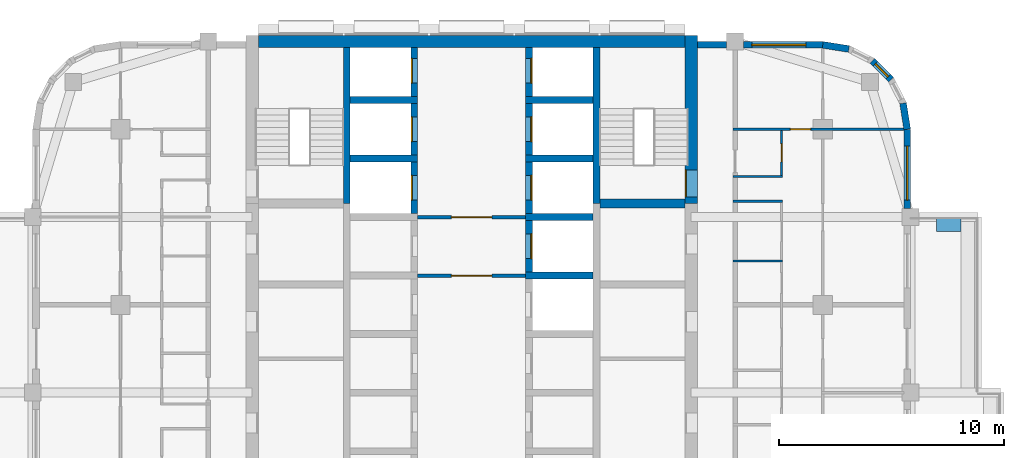
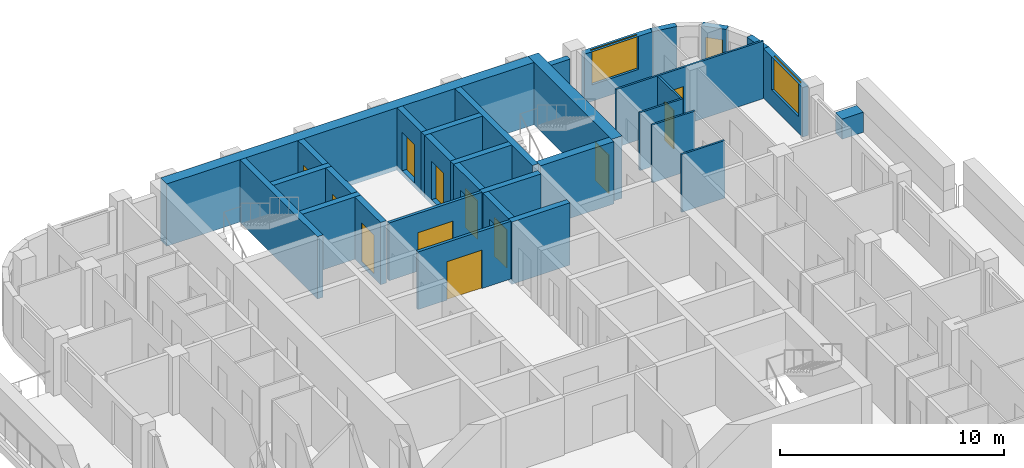
# One storey, part 8 of 13: 32 walls, 12 doors, 3 windows, 15 openings.
"""IFC4 building model written with IfcOpenShell, lengths in metres."""

import ifcopenshell
import ifcopenshell.guid

model = None  # the IFC model being written
_history = None  # IfcOwnerHistory: only IFC2X3 demands one
_inside = {}  # id of a spatial element -> (the spatial element, [elements in it])
_under = {}  # id of a project, library or spatial element -> (it, [spatial elements below it])
_declared = {}  # id of a project -> (the project, [libraries it declares])
_typed = {}  # id of a type object -> (the type object, [elements of that type])
_made_of = {}  # id of a material, layer set ... -> (it, [elements and type objects made of it])


def new_model(schema):
    """Start an empty IFC model of exactly this schema.

    Asked for "IFC4X3", IfcOpenShell would pick the latest addendum, in which some entities
    have other attributes; the version numbers below select the first issue.
    IFC2X3 requires an IfcOwnerHistory on every rooted entity: one is made here for all.
    """
    global model, _history
    if schema == "IFC4X3":
        model = ifcopenshell.file(schema_version=(4, 3, 0, 0))
    else:
        model = ifcopenshell.file(schema=schema)
    _inside.clear()
    _under.clear()
    _declared.clear()
    _typed.clear()
    _made_of.clear()
    _history = None
    if model.schema == "IFC2X3":
        org = make("IfcOrganization", Name="unknown")
        user = make(
            "IfcPersonAndOrganization",
            ThePerson=make("IfcPerson", FamilyName="unknown"),
            TheOrganization=org,
        )
        app = make(
            "IfcApplication",
            ApplicationDeveloper=org,
            Version="unknown",
            ApplicationFullName="unknown",
            ApplicationIdentifier="unknown",
        )
        _history = make(
            "IfcOwnerHistory",
            OwningUser=user,
            OwningApplication=app,
            ChangeAction="ADDED",
            CreationDate=0,
        )
    return model


def make(cls, **values):
    """One entity of the class cls with the attributes given. An attribute that is None is left unset."""
    return model.create_entity(
        cls, **{name: value for name, value in values.items() if value is not None}
    )


def rooted(cls, **values):
    """An entity with a GlobalId (a new one), such as an element, a storey or a relation."""
    return make(cls, GlobalId=ifcopenshell.guid.new(), OwnerHistory=_history, **values)


def si_unit(unit_type, name, prefix=None):
    """IfcSIUnit, for example si_unit("LENGTHUNIT", "METRE", prefix="MILLI")."""
    return make("IfcSIUnit", UnitType=unit_type, Prefix=prefix, Name=name)


def assignment(units):
    """IfcUnitAssignment: the units of a project."""
    return None if units is None else make("IfcUnitAssignment", Units=units)


def point(xyz):
    """IfcCartesianPoint."""
    return None if xyz is None else make("IfcCartesianPoint", Coordinates=xyz)


def direction(xyz):
    """IfcDirection."""
    return None if xyz is None else make("IfcDirection", DirectionRatios=xyz)


def frame(location, z_axis=None, x_axis=None):
    """IfcAxis2Placement3D, a coordinate frame: its origin and axes. An axis left out is left unset."""
    return make(
        "IfcAxis2Placement3D",
        Location=point(location),
        Axis=direction(z_axis),
        RefDirection=direction(x_axis),
    )


def frame_2d(location, x_axis=None):
    """IfcAxis2Placement2D, a coordinate frame in the plane: its origin and x axis."""
    return make(
        "IfcAxis2Placement2D", Location=point(location), RefDirection=direction(x_axis)
    )


def origin():
    """The frame at (0, 0, 0) with its axes left unset."""
    return frame((0.0, 0.0, 0.0))


def place(relative_to, where):
    """IfcLocalPlacement: puts the frame where relative to a parent placement (None: the world)."""
    return make(
        "IfcLocalPlacement", PlacementRelTo=relative_to, RelativePlacement=where
    )


def context(
    kind, dimensions, precision=None, world=None, true_north=None, identifier=None
):
    """IfcGeometricRepresentationContext, for example the 3D "Model" context."""
    return make(
        "IfcGeometricRepresentationContext",
        ContextIdentifier=identifier,
        ContextType=kind,
        CoordinateSpaceDimension=dimensions,
        Precision=precision,
        WorldCoordinateSystem=world,
        TrueNorth=true_north,
    )


def subcontext(parent, identifier, kind, view, scale=None):
    """IfcGeometricRepresentationSubContext, for example "Body" below "Model"."""
    return make(
        "IfcGeometricRepresentationSubContext",
        ContextIdentifier=identifier,
        ContextType=kind,
        ParentContext=parent,
        TargetScale=scale,
        TargetView=view,
    )


def project(units=None, contexts=None):
    """IfcProject with its units and contexts."""
    return rooted(
        "IfcProject",
        Name="project",
        RepresentationContexts=contexts,
        UnitsInContext=assignment(units),
    )


def spatial(cls, under=None, at=None, **own):
    """A site, building, storey or space (cls), placed at a placement, below another one or the project."""
    s = rooted(cls, ObjectPlacement=at, **own)
    if under is not None:
        _under.setdefault(under.id(), (under, []))[1].append(s)
    return s


def profile(cls, at=None, kind="AREA", **sizes):
    """A parametric profile (cls). Its sizes go by their IFC names, for example OverallWidth=200.0."""
    return make(cls, ProfileType=kind, Position=at, **sizes)


def rectangle(**sizes):
    """IfcRectangleProfileDef."""
    return profile("IfcRectangleProfileDef", **sizes)


def extrude(swept, where, along, depth):
    """IfcExtrudedAreaSolid: the profile swept, set in the frame where, extruded along a direction by depth."""
    return make(
        "IfcExtrudedAreaSolid",
        SweptArea=swept,
        Position=where,
        ExtrudedDirection=direction(along),
        Depth=depth,
    )


def shape(context_of_items, identifier, shape_type, items):
    """IfcShapeRepresentation: the items that make up one representation, for example the "Body"."""
    return make(
        "IfcShapeRepresentation",
        ContextOfItems=context_of_items,
        RepresentationIdentifier=identifier,
        RepresentationType=shape_type,
        Items=items,
    )


def material(Name=None, Category=None):
    """IfcMaterial."""
    return make("IfcMaterial", Name=Name, Category=Category)


def layer(
    of_material, thickness, ventilated=None, Name=None, Category=None, Priority=None
):
    """IfcMaterialLayer: one layer of a wall or slab, of a material (None: an air gap)."""
    return make(
        "IfcMaterialLayer",
        Material=of_material,
        LayerThickness=thickness,
        IsVentilated=ventilated,
        Name=Name,
        Category=Category,
        Priority=Priority,
    )


def layer_set(layers, Name=None):
    """IfcMaterialLayerSet."""
    return make("IfcMaterialLayerSet", MaterialLayers=layers, LayerSetName=Name)


def made_of(thing, what):
    """Note that an element or type object is made of a material, layer set ...; save() writes the relation."""
    if what is not None:
        _made_of.setdefault(what.id(), (what, []))[1].append(thing)
    return thing


def type_object(cls, material=None, **own):
    """A type object (cls), such as IfcWallType, which elements share."""
    return made_of(rooted(cls, **own), material)


def element(
    cls,
    number,
    at=None,
    inside=None,
    cuts=None,
    type_object=None,
    material=None,
    context=None,
    identifier="Body",
    shape_type=None,
    held_by="IfcProductDefinitionShape",
    body=None,
    shapes=None,
    **own,
):
    """One element of the class cls, such as IfcWall. Its Tag is "e" and its number.

    at: its placement. inside: the storey or other place that contains it. cuts: it is an
    opening in that element (IfcRelVoidsElement). A single representation is given by context,
    identifier, shape_type and body (its items); several are given by shapes. held_by: the class
    of the entity that holds the representations. save() writes the other relations.
    """
    e = rooted(cls, Tag="e%d" % number, ObjectPlacement=at, **own)
    if body is not None:
        shapes = [shape(context, identifier, shape_type, body)]
    if shapes is not None:
        e.Representation = make(held_by, Representations=shapes)
    if inside is not None:
        _inside.setdefault(inside.id(), (inside, []))[1].append(e)
    if cuts is not None:
        rooted(
            "IfcRelVoidsElement", RelatingBuildingElement=cuts, RelatedOpeningElement=e
        )
    if type_object is not None:
        _typed.setdefault(type_object.id(), (type_object, []))[1].append(e)
    return made_of(e, material)


def fill(opening, filler):
    """IfcRelFillsElement: the door or window that sits in an opening."""
    return rooted(
        "IfcRelFillsElement",
        RelatingOpeningElement=opening,
        RelatedBuildingElement=filler,
    )


def aggregate(whole, parts):
    """IfcRelAggregates: a whole, such as a stair, and the parts it consists of."""
    return rooted("IfcRelAggregates", RelatingObject=whole, RelatedObjects=parts)


def save(model, path):
    """Write the relations noted so far, then the file.

    IfcRelAggregates (storeys below a building ...), IfcRelContainedInSpatialStructure (elements
    in a storey), IfcRelDefinesByType, IfcRelAssociatesMaterial and IfcRelDeclares: one each for
    every whole, place, type object, material and project.
    """
    for whole, parts in _under.values():
        aggregate(whole, parts)
    for where, things in _inside.values():
        rooted(
            "IfcRelContainedInSpatialStructure",
            RelatedElements=things,
            RelatingStructure=where,
        )
    for kind, things in _typed.values():
        rooted("IfcRelDefinesByType", RelatedObjects=things, RelatingType=kind)
    for what, things in _made_of.values():
        rooted("IfcRelAssociatesMaterial", RelatedObjects=things, RelatingMaterial=what)
    for by, libraries in _declared.values():
        rooted("IfcRelDeclares", RelatingContext=by, RelatedDefinitions=libraries)
    model.write(path)


model = new_model("IFC4")

# Units and contexts
model_context = context("Model", 3, precision=1e-05, world=origin(), true_north=direction((0.0, 1.0)))
body_context = subcontext(model_context, "Body", "Model", "MODEL_VIEW")
ifc_project = project(units=[si_unit("LENGTHUNIT", "METRE"), si_unit("AREAUNIT", "SQUARE_METRE"), si_unit("VOLUMEUNIT", "CUBIC_METRE"), si_unit("PLANEANGLEUNIT", "RADIAN"), si_unit("MASSUNIT", "GRAM", prefix="KILO")], contexts=[model_context])

# Site, building, storey
site_placement = place(None, origin())
site = spatial("IfcSite", under=ifc_project, at=site_placement, CompositionType="ELEMENT")
building_placement = place(site_placement, origin())
building = spatial("IfcBuilding", under=site, at=building_placement, Name="Ludao Terraces", CompositionType="ELEMENT")
storey_placement = place(building_placement, frame((0.0, 0.0, 162.199951171875)))
storey = spatial("IfcBuildingStorey", under=building, at=storey_placement, Name="L44", CompositionType="ELEMENT", Elevation=162.199951171875)

# Wall, opening, door
ifc_material_1 = material(Name="Concrete C60", Category="concrete")
ifc_layer_1 = layer(ifc_material_1, 0.550048828125)
ifc_layer_set_1 = layer_set([ifc_layer_1], Name="Core wall 550 C60")
wall_type_1 = type_object("IfcWallType", Name="Core wall 550 C60", PredefinedType="SOLIDWALL", material=ifc_layer_set_1)
wall_1_placement = place(storey_placement, frame((94.75, 77.300048828125, -0.25), z_axis=(0.0, 0.0, 1.0), x_axis=(0.0, 1.0, 0.0)))
wall_1 = element("IfcWall", 1, at=wall_1_placement, inside=storey, type_object=wall_type_1, Name="Core wall L44 outer-E-S2", PredefinedType="SOLIDWALL", context=body_context, shape_type="SweptSolid", body=[
    extrude(rectangle(XDim=7.474853515625, YDim=0.550048828125, at=frame_2d((3.7373046875, 0.0))), origin(), (0.0, 0.0, 1.0), 3.400146484375),
])
opening_1_placement = place(wall_1_placement, frame((0.300048828125, 0.0, 0.25)))
opening_1 = element("IfcOpeningElement", 2, at=opening_1_placement, cuts=wall_1, Name="Opening R15-076", PredefinedType="OPENING", context=body_context, shape_type="SweptSolid", body=[
    extrude(rectangle(XDim=1.199951171875, YDim=2.10009765625, at=frame_2d((0.60009765625, 1.050048828125))), frame((0.0, 0.28515625, 0.0), z_axis=(0.0, -1.0, 0.0), x_axis=(1.0, 0.0, 0.0)), (0.0, 0.0, 1.0), 0.570068359375),
])
ifc_material_2 = material(Name="Steel Q235", Category="steel")
door_type_1 = type_object("IfcDoorType", Name="INT Stair door 1200", OperationType="DOUBLE_DOOR_SINGLE_SWING", PredefinedType="DOOR", material=ifc_material_2)
door_1_placement = place(opening_1_placement, origin())
door_1 = element("IfcDoor", 3, at=door_1_placement, inside=storey, type_object=door_type_1, Name="DOOR 076", OperationType="DOUBLE_DOOR_SINGLE_SWING", OverallHeight=2.10009765625, OverallWidth=1.199951171875, PredefinedType="DOOR", context=body_context, shape_type="SweptSolid", body=[
    extrude(rectangle(XDim=1.199951171875, YDim=2.10009765625, at=frame_2d((0.60009765625, 1.050048828125))), frame((0.0, 0.26025390625, 0.0), z_axis=(0.0, -1.0, 0.0), x_axis=(1.0, 0.0, 0.0)), (0.0, 0.0, 1.0), 0.050048828125),
])
fill(opening_1, door_1)

# Walls
wall_2_placement = place(storey_placement, frame((75.52490234375, 84.5, -0.25), z_axis=(0.0, 0.0, 1.0), x_axis=(1.0, 0.0, 0.0)))
element("IfcWall", 4, at=wall_2_placement, inside=storey, type_object=wall_type_1, Name="Core wall L44 outer-N", PredefinedType="SOLIDWALL", context=body_context, shape_type="SweptSolid", body=[
    extrude(rectangle(XDim=18.9501953125, YDim=0.550048828125, at=frame_2d((9.47509765625, 0.0))), origin(), (0.0, 0.0, 1.0), 3.400146484375),
])
ifc_material_3 = material(Name="Concrete C40", Category="concrete")
ifc_layer_2 = layer(ifc_material_3, 0.60009765625)
ifc_layer_set_2 = layer_set([ifc_layer_2], Name="ENV Planter trough 600")
wall_type_2 = type_object("IfcWallType", Name="ENV Planter trough 600", PredefinedType="USERDEFINED", material=ifc_layer_set_2)
wall_3_placement = place(storey_placement, frame((106.75, 76.35009765625, 0.0), z_axis=(0.0, 0.0, 1.0), x_axis=(-1.0, 0.0, 0.0)))
element("IfcWall", 5, at=wall_3_placement, inside=storey, type_object=wall_type_2, Name="PL-L44-E3-SB", ObjectType="PLANTER", PredefinedType="USERDEFINED", context=body_context, shape_type="SweptSolid", body=[
    extrude(rectangle(XDim=1.10009765625, YDim=0.60009765625, at=frame_2d((0.550048828125, 0.0))), origin(), (0.0, 0.0, 1.0), 1.10009765625),
])

# Wall, opening, window
ifc_material_4 = material(Name="Granite cladding", Category="masonry")
ifc_layer_3 = layer(ifc_material_4, 0.0400390625, Category="stone")
ifc_material_5 = material(Name="Mineral wool")
ifc_layer_4 = layer(ifc_material_5, 0.06005859375)
ifc_layer_5 = layer(ifc_material_3, 0.199951171875, Category="concrete")
ifc_layer_set_3 = layer_set([ifc_layer_3, ifc_layer_4, ifc_layer_5], Name="ENV Stone-clad wall 300")
wall_type_3 = type_object("IfcWallType", Name="ENV Stone-clad wall 300", PredefinedType="SOLIDWALL", material=ifc_layer_set_3)
wall_4_placement = place(storey_placement, frame((104.35009765625, 77.074951171875, 0.0), z_axis=(0.0, 0.0, 1.0), x_axis=(0.0, 1.0, 0.0)))
wall_4 = element("IfcWall", 6, at=wall_4_placement, inside=storey, type_object=wall_type_3, Name="EW-L44-E5", PredefinedType="SOLIDWALL", context=body_context, shape_type="SweptSolid", body=[
    extrude(rectangle(XDim=3.525146484375, YDim=0.300048828125, at=frame_2d((1.7626953125, 0.0))), origin(), (0.0, 0.0, 1.0), 2.699951171875),
])
opening_2_placement = place(wall_4_placement, frame((0.375, 0.0, 0.89990234375)))
opening_2 = element("IfcOpeningElement", 7, at=opening_2_placement, cuts=wall_4, Name="Opening W1", PredefinedType="OPENING", context=body_context, shape_type="SweptSolid", body=[
    extrude(rectangle(XDim=2.39990234375, YDim=1.800048828125, at=frame_2d((1.199951171875, 0.89990234375))), frame((0.0, 0.16015625, 0.0), z_axis=(0.0, -1.0, 0.0), x_axis=(1.0, 0.0, 0.0)), (0.0, 0.0, 1.0), 0.320068359375),
])
ifc_material_6 = material(Name="Clear glass in aluminium frame", Category="aluminium")
ifc_layer_6 = layer(ifc_material_6, 0.06005859375)
ifc_layer_set_4 = layer_set([ifc_layer_6], Name="ENV Window W1 2400x1800")
window_type_1 = type_object("IfcWindowType", Name="ENV Window W1 2400x1800", PartitioningType="DOUBLE_PANEL_VERTICAL", PredefinedType="WINDOW", material=ifc_layer_set_4)
window_1_placement = place(opening_2_placement, origin())
window_1 = element("IfcWindow", 8, at=window_1_placement, inside=storey, type_object=window_type_1, Name="W-L44-E5-1", OverallHeight=1.800048828125, OverallWidth=2.39990234375, PartitioningType="DOUBLE_PANEL_VERTICAL", PredefinedType="WINDOW", context=body_context, shape_type="SweptSolid", body=[
    extrude(rectangle(XDim=2.39990234375, YDim=1.800048828125, at=frame_2d((1.199951171875, 0.89990234375))), frame((0.0, 0.030029296875, 0.0), z_axis=(0.0, -1.0, 0.0), x_axis=(1.0, 0.0, 0.0)), (0.0, 0.0, 1.0), 0.06005859375),
])
fill(opening_2, window_1)

# Wall
wall_5_placement = place(storey_placement, frame((95.02490234375, 84.35009765625, 0.0), z_axis=(0.0, 0.0, 1.0), x_axis=(1.0, 0.0, 0.0)))
element("IfcWall", 9, at=wall_5_placement, inside=storey, type_object=wall_type_3, Name="EW-L44-N3", PredefinedType="SOLIDWALL", context=body_context, shape_type="SweptSolid", body=[
    extrude(rectangle(XDim=1.300048828125, YDim=0.300048828125, at=frame_2d((0.64990234375, 0.0))), origin(), (0.0, 0.0, 1.0), 2.699951171875),
])

# Wall, opening, window
wall_6_placement = place(storey_placement, frame((97.074951171875, 84.35009765625, 0.0), z_axis=(0.0, 0.0, 1.0), x_axis=(1.0, 0.0, 0.0)))
wall_6 = element("IfcWall", 10, at=wall_6_placement, inside=storey, type_object=wall_type_3, Name="EW-L44-N4", PredefinedType="SOLIDWALL", context=body_context, shape_type="SweptSolid", body=[
    extrude(rectangle(XDim=3.525146484375, YDim=0.300048828125, at=frame_2d((1.7626953125, 0.0))), origin(), (0.0, 0.0, 1.0), 2.699951171875),
])
opening_3_placement = place(wall_6_placement, frame((0.375, 0.0, 0.89990234375)))
opening_3 = element("IfcOpeningElement", 11, at=opening_3_placement, cuts=wall_6, Name="Opening W1", PredefinedType="OPENING", context=body_context, shape_type="SweptSolid", body=[
    extrude(rectangle(XDim=2.39990234375, YDim=1.800048828125, at=frame_2d((1.199951171875, 0.89990234375))), frame((0.0, 0.16015625, 0.0), z_axis=(0.0, -1.0, 0.0), x_axis=(1.0, 0.0, 0.0)), (0.0, 0.0, 1.0), 0.320068359375),
])
window_2_placement = place(opening_3_placement, origin())
window_2 = element("IfcWindow", 12, at=window_2_placement, inside=storey, type_object=window_type_1, Name="W-L44-N4-1", OverallHeight=1.800048828125, OverallWidth=2.39990234375, PartitioningType="DOUBLE_PANEL_VERTICAL", PredefinedType="WINDOW", context=body_context, shape_type="SweptSolid", body=[
    extrude(rectangle(XDim=2.39990234375, YDim=1.800048828125, at=frame_2d((1.199951171875, 0.89990234375))), frame((0.0, 0.030029296875, 0.0), z_axis=(0.0, -1.0, 0.0), x_axis=(1.0, 0.0, 0.0)), (0.0, 0.0, 1.0), 0.06005859375),
])
fill(opening_3, window_2)

# Wall
wall_7_placement = place(storey_placement, frame((104.35009765625, 80.60009765625, 0.0), z_axis=(0.0, 0.0, 1.0), x_axis=(-0.156496880861, 0.987678452879, 0.0)))
element("IfcWall", 13, at=wall_7_placement, inside=storey, type_object=wall_type_3, Name="EW-L44-NE1", PredefinedType="SOLIDWALL", context=body_context, shape_type="SweptSolid", body=[
    extrude(rectangle(XDim=1.173095703125, YDim=0.300048828125, at=frame_2d((0.58642578125, 0.0))), origin(), (0.0, 0.0, 1.0), 2.699951171875),
])

# Wall, opening, window
wall_8_placement = place(storey_placement, frame((103.6337890625, 82.80419921875, 0.0), z_axis=(0.0, 0.0, 1.0), x_axis=(-0.707106781187, 0.707106781187, 0.0)))
wall_8 = element("IfcWall", 14, at=wall_8_placement, inside=storey, type_object=wall_type_3, Name="EW-L44-NE3", PredefinedType="SOLIDWALL", context=body_context, shape_type="SweptSolid", body=[
    extrude(rectangle(XDim=1.173095703125, YDim=0.300048828125, at=frame_2d((0.58642578125, 0.0))), origin(), (0.0, 0.0, 1.0), 2.699951171875),
])
opening_4_placement = place(wall_8_placement, frame((0.1865234375, 0.0, 0.89990234375)))
opening_4 = element("IfcOpeningElement", 15, at=opening_4_placement, cuts=wall_8, Name="Opening W3", PredefinedType="OPENING", context=body_context, shape_type="SweptSolid", body=[
    extrude(rectangle(XDim=0.800048828125, YDim=1.199951171875, at=frame_2d((0.39990234375, 0.60009765625))), frame((0.0, 0.16015625, 0.0), z_axis=(0.0, -1.0, 0.0), x_axis=(1.0, 0.0, 0.0)), (0.0, 0.0, 1.0), 0.320068359375),
])
ifc_layer_7 = layer(ifc_material_6, 0.06005859375)
ifc_layer_set_5 = layer_set([ifc_layer_7], Name="ENV Window W3 800x1200")
window_type_2 = type_object("IfcWindowType", Name="ENV Window W3 800x1200", PartitioningType="SINGLE_PANEL", PredefinedType="WINDOW", material=ifc_layer_set_5)
window_3_placement = place(opening_4_placement, origin())
window_3 = element("IfcWindow", 16, at=window_3_placement, inside=storey, type_object=window_type_2, Name="W-L44-NE3", OverallHeight=1.199951171875, OverallWidth=0.800048828125, PartitioningType="SINGLE_PANEL", PredefinedType="WINDOW", context=body_context, shape_type="SweptSolid", body=[
    extrude(rectangle(XDim=0.800048828125, YDim=1.199951171875, at=frame_2d((0.39990234375, 0.60009765625))), frame((0.0, 0.030029296875, 0.0), z_axis=(0.0, -1.0, 0.0), x_axis=(1.0, 0.0, 0.0)), (0.0, 0.0, 1.0), 0.06005859375),
])
fill(opening_4, window_3)

# Wall
wall_9_placement = place(storey_placement, frame((101.7587890625, 84.16650390625, 0.0), z_axis=(0.0, 0.0, 1.0), x_axis=(-0.987678452879, 0.156496880861, 0.0)))
element("IfcWall", 17, at=wall_9_placement, inside=storey, type_object=wall_type_3, Name="EW-L44-NE5", PredefinedType="SOLIDWALL", context=body_context, shape_type="SweptSolid", body=[
    extrude(rectangle(XDim=1.173095703125, YDim=0.300048828125, at=frame_2d((0.58642578125, 0.0))), origin(), (0.0, 0.0, 1.0), 2.699951171875),
])

# Wall, opening, door
ifc_material_7 = material(Name="Fire-rated gypsum plasterboard", Category="gypsum")
ifc_layer_8 = layer(ifc_material_7, 0.012451171875, Category="gypsum")
ifc_layer_9 = layer(ifc_material_5, 0.10009765625, Name="insulation")
ifc_layer_10 = layer(ifc_material_2, 0.02490234375, Name="stud")
ifc_layer_11 = layer(ifc_material_7, 0.012451171875, Category="gypsum")
ifc_layer_set_6 = layer_set([ifc_layer_8, ifc_layer_9, ifc_layer_10, ifc_layer_11], Name="INT Core partition 150")
wall_type_4 = type_object("IfcWallType", Name="INT Core partition 150", PredefinedType="PARTITIONING", material=ifc_layer_set_6)
wall_10_placement = place(storey_placement, frame((82.60009765625, 74.10009765625, 0.0), z_axis=(0.0, 0.0, 1.0), x_axis=(1.0, 0.0, 0.0)))
wall_10 = element("IfcWall", 18, at=wall_10_placement, inside=storey, type_object=wall_type_4, Name="PW-L44-PW034", PredefinedType="PARTITIONING", context=body_context, shape_type="SweptSolid", body=[
    extrude(rectangle(XDim=4.800048828125, YDim=0.14990234375, at=frame_2d((2.39990234375, 0.0))), origin(), (0.0, 0.0, 1.0), 3.150146484375),
])
opening_5_placement = place(wall_10_placement, frame((1.5, 0.0, 0.0)))
opening_5 = element("IfcOpeningElement", 19, at=opening_5_placement, cuts=wall_10, Name="Opening R15-061", PredefinedType="OPENING", context=body_context, shape_type="SweptSolid", body=[
    extrude(rectangle(XDim=1.800048828125, YDim=2.10009765625, at=frame_2d((0.89990234375, 1.050048828125))), frame((0.0, 0.0849609375, 0.0), z_axis=(0.0, -1.0, 0.0), x_axis=(1.0, 0.0, 0.0)), (0.0, 0.0, 1.0), 0.169921875),
])
door_type_2 = type_object("IfcDoorType", Name="INT Fire lobby door 1800", OperationType="DOUBLE_DOOR_SINGLE_SWING", PredefinedType="DOOR", material=ifc_material_2)
door_2_placement = place(opening_5_placement, origin())
door_2 = element("IfcDoor", 20, at=door_2_placement, inside=storey, type_object=door_type_2, Name="DOOR 061", OperationType="DOUBLE_DOOR_SINGLE_SWING", OverallHeight=2.10009765625, OverallWidth=1.800048828125, PredefinedType="DOOR", context=body_context, shape_type="SweptSolid", body=[
    extrude(rectangle(XDim=1.800048828125, YDim=2.10009765625, at=frame_2d((0.89990234375, 1.050048828125))), frame((0.0, 0.02490234375, 0.0), z_axis=(0.0, -1.0, 0.0), x_axis=(1.0, 0.0, 0.0)), (0.0, 0.0, 1.0), 0.050048828125),
])
fill(opening_5, door_2)

wall_11_placement = place(storey_placement, frame((82.60009765625, 76.699951171875, 0.0), z_axis=(0.0, 0.0, 1.0), x_axis=(1.0, 0.0, 0.0)))
wall_11 = element("IfcWall", 21, at=wall_11_placement, inside=storey, type_object=wall_type_4, Name="PW-L44-PW039", PredefinedType="PARTITIONING", context=body_context, shape_type="SweptSolid", body=[
    extrude(rectangle(XDim=4.800048828125, YDim=0.14990234375, at=frame_2d((2.39990234375, 0.0))), origin(), (0.0, 0.0, 1.0), 3.150146484375),
])
opening_6_placement = place(wall_11_placement, frame((1.5, 0.0, 0.0)))
opening_6 = element("IfcOpeningElement", 22, at=opening_6_placement, cuts=wall_11, Name="Opening R15-069", PredefinedType="OPENING", context=body_context, shape_type="SweptSolid", body=[
    extrude(rectangle(XDim=1.800048828125, YDim=2.10009765625, at=frame_2d((0.89990234375, 1.050048828125))), frame((0.0, 0.0849609375, 0.0), z_axis=(0.0, -1.0, 0.0), x_axis=(1.0, 0.0, 0.0)), (0.0, 0.0, 1.0), 0.169921875),
])
door_3_placement = place(opening_6_placement, origin())
door_3 = element("IfcDoor", 23, at=door_3_placement, inside=storey, type_object=door_type_2, Name="DOOR 069", OperationType="DOUBLE_DOOR_SINGLE_SWING", OverallHeight=2.10009765625, OverallWidth=1.800048828125, PredefinedType="DOOR", context=body_context, shape_type="SweptSolid", body=[
    extrude(rectangle(XDim=1.800048828125, YDim=2.10009765625, at=frame_2d((0.89990234375, 1.050048828125))), frame((0.0, 0.02490234375, 0.0), z_axis=(0.0, -1.0, 0.0), x_axis=(1.0, 0.0, 0.0)), (0.0, 0.0, 1.0), 0.050048828125),
])
fill(opening_6, door_3)

# Walls
ifc_material_8 = material(Name="Gypsum plasterboard", Category="gypsum")
ifc_layer_12 = layer(ifc_material_8, 0.012451171875, Category="gypsum")
ifc_layer_13 = layer(ifc_material_5, 0.06005859375, Name="insulation")
ifc_layer_14 = layer(ifc_material_2, 0.014892578125, Name="stud")
ifc_layer_15 = layer(ifc_material_8, 0.012451171875, Category="gypsum")
ifc_layer_set_7 = layer_set([ifc_layer_12, ifc_layer_13, ifc_layer_14, ifc_layer_15], Name="INT Partition 100")
wall_type_5 = type_object("IfcWallType", Name="INT Partition 100", PredefinedType="PARTITIONING", material=ifc_layer_set_7)
for number, where, z_axis, x_axis, name in (
    (24, (96.60009765625, 74.75, 0.0), (0.0, 0.0, 1.0), (1.0, 0.0, 0.0), "PW-L44-PW035"),
    (25, (96.60009765625, 77.39990234375, 0.0), (0.0, 0.0, 1.0), (1.0, 0.0, 0.0), "PW-L44-PW040"),
    (26, (96.60009765625, 78.5, 0.0), (0.0, 0.0, 1.0), (1.0, 0.0, 0.0), "PW-L44-PW042"),
):
    element("IfcWall", number, at=place(storey_placement, frame(where, z_axis=z_axis, x_axis=x_axis)), inside=storey, type_object=wall_type_5, Name=name, PredefinedType="PARTITIONING", context=body_context, shape_type="SweptSolid", body=[
        extrude(rectangle(XDim=2.219970703125, YDim=0.10009765625, at=frame_2d((1.10986328125, 0.0))), origin(), (0.0, 0.0, 1.0), 3.150146484375),
    ])

# Wall, opening, door
wall_12_placement = place(storey_placement, frame((96.60009765625, 80.60009765625, 0.0), z_axis=(0.0, 0.0, 1.0), x_axis=(1.0, 0.0, 0.0)))
wall_12 = element("IfcWall", 27, at=wall_12_placement, inside=storey, type_object=wall_type_5, Name="PW-L44-PW045", PredefinedType="PARTITIONING", context=body_context, shape_type="SweptSolid", body=[
    extrude(rectangle(XDim=7.60009765625, YDim=0.10009765625, at=frame_2d((3.800048828125, 0.0))), origin(), (0.0, 0.0, 1.0), 3.150146484375),
])
opening_7_placement = place(wall_12_placement, frame((2.56005859375, 0.0, 0.0)))
opening_7 = element("IfcOpeningElement", 28, at=opening_7_placement, cuts=wall_12, Name="Opening R15-084", PredefinedType="OPENING", context=body_context, shape_type="SweptSolid", body=[
    extrude(rectangle(XDim=0.89990234375, YDim=2.10009765625, at=frame_2d((0.449951171875, 1.050048828125))), frame((0.0, 0.06005859375, 0.0), z_axis=(0.0, -1.0, 0.0), x_axis=(1.0, 0.0, 0.0)), (0.0, 0.0, 1.0), 0.1201171875),
])
ifc_material_9 = material(Name="Timber door leaf", Category="wood")
door_type_3 = type_object("IfcDoorType", Name="INT Room door 900", OperationType="SINGLE_SWING_LEFT", PredefinedType="DOOR", material=ifc_material_9)
door_4_placement = place(opening_7_placement, origin())
door_4 = element("IfcDoor", 29, at=door_4_placement, inside=storey, type_object=door_type_3, Name="DOOR 084", OperationType="SINGLE_SWING_RIGHT", OverallHeight=2.10009765625, OverallWidth=0.89990234375, PredefinedType="DOOR", context=body_context, shape_type="SweptSolid", body=[
    extrude(rectangle(XDim=0.89990234375, YDim=2.10009765625, at=frame_2d((0.449951171875, 1.050048828125))), frame((0.0, 0.02490234375, 0.0), z_axis=(0.0, -1.0, 0.0), x_axis=(1.0, 0.0, 0.0)), (0.0, 0.0, 1.0), 0.050048828125),
])
fill(opening_7, door_4)

wall_13_placement = place(storey_placement, frame((98.77001953125, 78.550048828125, 0.0), z_axis=(0.0, 0.0, 1.0), x_axis=(0.0, 1.0, 0.0)))
wall_13 = element("IfcWall", 30, at=wall_13_placement, inside=storey, type_object=wall_type_5, Name="PW-L44-PW060", PredefinedType="PARTITIONING", context=body_context, shape_type="SweptSolid", body=[
    extrude(rectangle(XDim=2.0, YDim=0.10009765625, at=frame_2d((1.0, 0.0))), origin(), (0.0, 0.0, 1.0), 3.150146484375),
])
opening_8_placement = place(wall_13_placement, frame((0.60009765625, 0.0, 0.0)))
opening_8 = element("IfcOpeningElement", 31, at=opening_8_placement, cuts=wall_13, Name="Opening R15-079", PredefinedType="OPENING", context=body_context, shape_type="SweptSolid", body=[
    extrude(rectangle(XDim=0.800048828125, YDim=2.10009765625, at=frame_2d((0.39990234375, 1.050048828125))), frame((0.0, 0.06005859375, 0.0), z_axis=(0.0, -1.0, 0.0), x_axis=(1.0, 0.0, 0.0)), (0.0, 0.0, 1.0), 0.1201171875),
])
door_type_4 = type_object("IfcDoorType", Name="INT Store door 800", OperationType="SINGLE_SWING_LEFT", PredefinedType="DOOR", material=ifc_material_9)
door_5_placement = place(opening_8_placement, origin())
door_5 = element("IfcDoor", 32, at=door_5_placement, inside=storey, type_object=door_type_4, Name="DOOR 079", OperationType="SINGLE_SWING_LEFT", OverallHeight=2.10009765625, OverallWidth=0.800048828125, PredefinedType="DOOR", context=body_context, shape_type="SweptSolid", body=[
    extrude(rectangle(XDim=0.800048828125, YDim=2.10009765625, at=frame_2d((0.39990234375, 1.050048828125))), frame((0.0, 0.02490234375, 0.0), z_axis=(0.0, -1.0, 0.0), x_axis=(1.0, 0.0, 0.0)), (0.0, 0.0, 1.0), 0.050048828125),
])
fill(opening_8, door_5)

# Walls
ifc_material_10 = material(Name="Concrete C55", Category="concrete")
ifc_layer_16 = layer(ifc_material_10, 0.300048828125)
ifc_layer_set_8 = layer_set([ifc_layer_16], Name="Shaft wall 300 C55")
wall_type_6 = type_object("IfcWallType", Name="Shaft wall 300 C55", PredefinedType="SOLIDWALL", material=ifc_layer_set_8)
for number, where, z_axis, x_axis, name in (
    (33, (79.449951171875, 77.300048828125, -0.25), (0.0, 0.0, 1.0), (0.0, 1.0, 0.0), "Core wall L44 back-W-S1"),
    (34, (90.550048828125, 77.300048828125, -0.25), (0.0, 0.0, 1.0), (0.0, 1.0, 0.0), "Core wall L44 back-E-S2"),
):
    element("IfcWall", number, at=place(storey_placement, frame(where, z_axis=z_axis, x_axis=x_axis)), inside=storey, type_object=wall_type_6, Name=name, PredefinedType="SOLIDWALL", context=body_context, shape_type="SweptSolid", body=[
        extrude(rectangle(XDim=6.925048828125, YDim=0.300048828125, at=frame_2d((3.46240234375, 0.0))), origin(), (0.0, 0.0, 1.0), 3.400146484375),
    ])

# Wall, opening, door
wall_14_placement = place(storey_placement, frame((82.449951171875, 76.85009765625, -0.25), z_axis=(0.0, 0.0, 1.0), x_axis=(0.0, 1.0, 0.0)))
wall_14 = element("IfcWall", 35, at=wall_14_placement, inside=storey, type_object=wall_type_6, Name="Core wall L44 front-W7", PredefinedType="SOLIDWALL", context=body_context, shape_type="SweptSolid", body=[
    extrude(rectangle(XDim=2.2998046875, YDim=0.300048828125, at=frame_2d((1.14990234375, 0.0))), origin(), (0.0, 0.0, 1.0), 3.400146484375),
])
opening_9_placement = place(wall_14_placement, frame((0.60009765625, 0.0, 0.25)))
opening_9 = element("IfcOpeningElement", 36, at=opening_9_placement, cuts=wall_14, Name="Opening LD-FF1", PredefinedType="OPENING", context=body_context, shape_type="SweptSolid", body=[
    extrude(rectangle(XDim=1.10009765625, YDim=2.10009765625, at=frame_2d((0.550048828125, 1.050048828125))), frame((0.0, 0.16015625, 0.0), z_axis=(0.0, -1.0, 0.0), x_axis=(1.0, 0.0, 0.0)), (0.0, 0.0, 1.0), 0.320068359375),
])
ifc_material_11 = material(Name="Stainless steel 304", Category="steel")
door_type_5 = type_object("IfcDoorType", Name="INT Lift landing door 1100", OperationType="SLIDING_TO_LEFT", PredefinedType="DOOR", material=ifc_material_11)
door_6_placement = place(opening_9_placement, origin())
door_6 = element("IfcDoor", 37, at=door_6_placement, inside=storey, type_object=door_type_5, Name="LANDING DOOR FF1 L44", OperationType="SLIDING_TO_LEFT", OverallHeight=2.10009765625, OverallWidth=1.10009765625, PredefinedType="DOOR", context=body_context, shape_type="SweptSolid", body=[
    extrude(rectangle(XDim=1.10009765625, YDim=2.10009765625, at=frame_2d((0.550048828125, 1.050048828125))), frame((0.0, 0.13525390625, 0.0), z_axis=(0.0, -1.0, 0.0), x_axis=(1.0, 0.0, 0.0)), (0.0, 0.0, 1.0), 0.050048828125),
])
fill(opening_9, door_6)

# Wall
wall_15_placement = place(storey_placement, frame((79.60009765625, 79.300048828125, -0.25), z_axis=(0.0, 0.0, 1.0), x_axis=(1.0, 0.0, 0.0)))
element("IfcWall", 38, at=wall_15_placement, inside=storey, type_object=wall_type_6, Name="Core wall L44 div-W8", PredefinedType="SOLIDWALL", context=body_context, shape_type="SweptSolid", body=[
    extrude(rectangle(XDim=3.0, YDim=0.300048828125, at=frame_2d((1.5, 0.0))), origin(), (0.0, 0.0, 1.0), 3.400146484375),
])

# Wall, opening, door
wall_16_placement = place(storey_placement, frame((82.449951171875, 79.449951171875, -0.25), z_axis=(0.0, 0.0, 1.0), x_axis=(0.0, 1.0, 0.0)))
wall_16 = element("IfcWall", 39, at=wall_16_placement, inside=storey, type_object=wall_type_6, Name="Core wall L44 front-W8", PredefinedType="SOLIDWALL", context=body_context, shape_type="SweptSolid", body=[
    extrude(rectangle(XDim=2.300048828125, YDim=0.300048828125, at=frame_2d((1.14990234375, 0.0))), origin(), (0.0, 0.0, 1.0), 3.400146484375),
])
opening_10_placement = place(wall_16_placement, frame((0.60009765625, 0.0, 0.25)))
opening_10 = element("IfcOpeningElement", 40, at=opening_10_placement, cuts=wall_16, Name="Opening LD-FF2", PredefinedType="OPENING", context=body_context, shape_type="SweptSolid", body=[
    extrude(rectangle(XDim=1.10009765625, YDim=2.10009765625, at=frame_2d((0.550048828125, 1.050048828125))), frame((0.0, 0.16015625, 0.0), z_axis=(0.0, -1.0, 0.0), x_axis=(1.0, 0.0, 0.0)), (0.0, 0.0, 1.0), 0.320068359375),
])
door_7_placement = place(opening_10_placement, origin())
door_7 = element("IfcDoor", 41, at=door_7_placement, inside=storey, type_object=door_type_5, Name="LANDING DOOR FF2 L44", OperationType="SLIDING_TO_LEFT", OverallHeight=2.10009765625, OverallWidth=1.10009765625, PredefinedType="DOOR", context=body_context, shape_type="SweptSolid", body=[
    extrude(rectangle(XDim=1.10009765625, YDim=2.10009765625, at=frame_2d((0.550048828125, 1.050048828125))), frame((0.0, 0.13525390625, 0.0), z_axis=(0.0, -1.0, 0.0), x_axis=(1.0, 0.0, 0.0)), (0.0, 0.0, 1.0), 0.050048828125),
])
fill(opening_10, door_7)

# Wall
wall_17_placement = place(storey_placement, frame((79.60009765625, 81.89990234375, -0.25), z_axis=(0.0, 0.0, 1.0), x_axis=(1.0, 0.0, 0.0)))
element("IfcWall", 42, at=wall_17_placement, inside=storey, type_object=wall_type_6, Name="Core wall L44 div-W9", PredefinedType="SOLIDWALL", context=body_context, shape_type="SweptSolid", body=[
    extrude(rectangle(XDim=3.0, YDim=0.300048828125, at=frame_2d((1.5, 0.0))), origin(), (0.0, 0.0, 1.0), 3.400146484375),
])

# Wall, opening, door
wall_18_placement = place(storey_placement, frame((82.449951171875, 82.050048828125, -0.25), z_axis=(0.0, 0.0, 1.0), x_axis=(0.0, 1.0, 0.0)))
wall_18 = element("IfcWall", 43, at=wall_18_placement, inside=storey, type_object=wall_type_6, Name="Core wall L44 front-W9", PredefinedType="SOLIDWALL", context=body_context, shape_type="SweptSolid", body=[
    extrude(rectangle(XDim=2.175048828125, YDim=0.300048828125, at=frame_2d((1.08740234375, 0.0))), origin(), (0.0, 0.0, 1.0), 3.400146484375),
])
opening_11_placement = place(wall_18_placement, frame((0.60009765625, 0.0, 0.25)))
opening_11 = element("IfcOpeningElement", 44, at=opening_11_placement, cuts=wall_18, Name="Opening LD-LB6", PredefinedType="OPENING", context=body_context, shape_type="SweptSolid", body=[
    extrude(rectangle(XDim=1.10009765625, YDim=2.10009765625, at=frame_2d((0.550048828125, 1.050048828125))), frame((0.0, 0.16015625, 0.0), z_axis=(0.0, -1.0, 0.0), x_axis=(1.0, 0.0, 0.0)), (0.0, 0.0, 1.0), 0.320068359375),
])
door_8_placement = place(opening_11_placement, origin())
door_8 = element("IfcDoor", 45, at=door_8_placement, inside=storey, type_object=door_type_5, Name="LANDING DOOR LB6 L44", OperationType="SLIDING_TO_RIGHT", OverallHeight=2.10009765625, OverallWidth=1.10009765625, PredefinedType="DOOR", context=body_context, shape_type="SweptSolid", body=[
    extrude(rectangle(XDim=1.10009765625, YDim=2.10009765625, at=frame_2d((0.550048828125, 1.050048828125))), frame((0.0, 0.13525390625, 0.0), z_axis=(0.0, -1.0, 0.0), x_axis=(1.0, 0.0, 0.0)), (0.0, 0.0, 1.0), 0.050048828125),
])
fill(opening_11, door_8)

# Wall
wall_19_placement = place(storey_placement, frame((87.39990234375, 74.10009765625, -0.25), z_axis=(0.0, 0.0, 1.0), x_axis=(1.0, 0.0, 0.0)))
element("IfcWall", 46, at=wall_19_placement, inside=storey, type_object=wall_type_6, Name="Core wall L44 div-E6", PredefinedType="SOLIDWALL", context=body_context, shape_type="SweptSolid", body=[
    extrude(rectangle(XDim=3.0, YDim=0.300048828125, at=frame_2d((1.5, 0.0))), origin(), (0.0, 0.0, 1.0), 3.400146484375),
])

# Wall, opening, door
wall_20_placement = place(storey_placement, frame((87.550048828125, 74.25, -0.25), z_axis=(0.0, 0.0, 1.0), x_axis=(0.0, 1.0, 0.0)))
wall_20 = element("IfcWall", 47, at=wall_20_placement, inside=storey, type_object=wall_type_6, Name="Core wall L44 front-E6", PredefinedType="SOLIDWALL", context=body_context, shape_type="SweptSolid", body=[
    extrude(rectangle(XDim=2.300048828125, YDim=0.300048828125, at=frame_2d((1.14990234375, 0.0))), origin(), (0.0, 0.0, 1.0), 3.400146484375),
])
opening_12_placement = place(wall_20_placement, frame((0.60009765625, 0.0, 0.25)))
opening_12 = element("IfcOpeningElement", 48, at=opening_12_placement, cuts=wall_20, Name="Opening LD-LB2", PredefinedType="OPENING", context=body_context, shape_type="SweptSolid", body=[
    extrude(rectangle(XDim=1.10009765625, YDim=2.10009765625, at=frame_2d((0.550048828125, 1.050048828125))), frame((0.0, 0.16015625, 0.0), z_axis=(0.0, -1.0, 0.0), x_axis=(1.0, 0.0, 0.0)), (0.0, 0.0, 1.0), 0.320068359375),
])
door_9_placement = place(opening_12_placement, origin())
door_9 = element("IfcDoor", 49, at=door_9_placement, inside=storey, type_object=door_type_5, Name="LANDING DOOR LB2 L44", OperationType="SLIDING_TO_LEFT", OverallHeight=2.10009765625, OverallWidth=1.10009765625, PredefinedType="DOOR", context=body_context, shape_type="SweptSolid", body=[
    extrude(rectangle(XDim=1.10009765625, YDim=2.10009765625, at=frame_2d((0.550048828125, 1.050048828125))), frame((0.0, -0.0849609375, 0.0), z_axis=(0.0, -1.0, 0.0), x_axis=(1.0, 0.0, 0.0)), (0.0, 0.0, 1.0), 0.050048828125),
])
fill(opening_12, door_9)

# Wall
wall_21_placement = place(storey_placement, frame((87.39990234375, 76.699951171875, -0.25), z_axis=(0.0, 0.0, 1.0), x_axis=(1.0, 0.0, 0.0)))
element("IfcWall", 50, at=wall_21_placement, inside=storey, type_object=wall_type_6, Name="Core wall L44 div-E7", PredefinedType="SOLIDWALL", context=body_context, shape_type="SweptSolid", body=[
    extrude(rectangle(XDim=3.0, YDim=0.300048828125, at=frame_2d((1.5, 0.0))), origin(), (0.0, 0.0, 1.0), 3.400146484375),
])

# Wall, opening, door
wall_22_placement = place(storey_placement, frame((87.550048828125, 76.85009765625, -0.25), z_axis=(0.0, 0.0, 1.0), x_axis=(0.0, 1.0, 0.0)))
wall_22 = element("IfcWall", 51, at=wall_22_placement, inside=storey, type_object=wall_type_6, Name="Core wall L44 front-E7", PredefinedType="SOLIDWALL", context=body_context, shape_type="SweptSolid", body=[
    extrude(rectangle(XDim=2.2998046875, YDim=0.300048828125, at=frame_2d((1.14990234375, 0.0))), origin(), (0.0, 0.0, 1.0), 3.400146484375),
])
opening_13_placement = place(wall_22_placement, frame((0.60009765625, 0.0, 0.25)))
opening_13 = element("IfcOpeningElement", 52, at=opening_13_placement, cuts=wall_22, Name="Opening LD-LB3", PredefinedType="OPENING", context=body_context, shape_type="SweptSolid", body=[
    extrude(rectangle(XDim=1.10009765625, YDim=2.10009765625, at=frame_2d((0.550048828125, 1.050048828125))), frame((0.0, 0.16015625, 0.0), z_axis=(0.0, -1.0, 0.0), x_axis=(1.0, 0.0, 0.0)), (0.0, 0.0, 1.0), 0.320068359375),
])
door_10_placement = place(opening_13_placement, origin())
door_10 = element("IfcDoor", 53, at=door_10_placement, inside=storey, type_object=door_type_5, Name="LANDING DOOR LB3 L44", OperationType="SLIDING_TO_LEFT", OverallHeight=2.10009765625, OverallWidth=1.10009765625, PredefinedType="DOOR", context=body_context, shape_type="SweptSolid", body=[
    extrude(rectangle(XDim=1.10009765625, YDim=2.10009765625, at=frame_2d((0.550048828125, 1.050048828125))), frame((0.0, -0.0849609375, 0.0), z_axis=(0.0, -1.0, 0.0), x_axis=(1.0, 0.0, 0.0)), (0.0, 0.0, 1.0), 0.050048828125),
])
fill(opening_13, door_10)

# Wall
wall_23_placement = place(storey_placement, frame((87.39990234375, 79.300048828125, -0.25), z_axis=(0.0, 0.0, 1.0), x_axis=(1.0, 0.0, 0.0)))
element("IfcWall", 54, at=wall_23_placement, inside=storey, type_object=wall_type_6, Name="Core wall L44 div-E8", PredefinedType="SOLIDWALL", context=body_context, shape_type="SweptSolid", body=[
    extrude(rectangle(XDim=3.0, YDim=0.300048828125, at=frame_2d((1.5, 0.0))), origin(), (0.0, 0.0, 1.0), 3.400146484375),
])

# Wall, opening, door
wall_24_placement = place(storey_placement, frame((87.550048828125, 79.449951171875, -0.25), z_axis=(0.0, 0.0, 1.0), x_axis=(0.0, 1.0, 0.0)))
wall_24 = element("IfcWall", 55, at=wall_24_placement, inside=storey, type_object=wall_type_6, Name="Core wall L44 front-E8", PredefinedType="SOLIDWALL", context=body_context, shape_type="SweptSolid", body=[
    extrude(rectangle(XDim=2.300048828125, YDim=0.300048828125, at=frame_2d((1.14990234375, 0.0))), origin(), (0.0, 0.0, 1.0), 3.400146484375),
])
opening_14_placement = place(wall_24_placement, frame((0.60009765625, 0.0, 0.25)))
opening_14 = element("IfcOpeningElement", 56, at=opening_14_placement, cuts=wall_24, Name="Opening LD-LB4", PredefinedType="OPENING", context=body_context, shape_type="SweptSolid", body=[
    extrude(rectangle(XDim=1.10009765625, YDim=2.10009765625, at=frame_2d((0.550048828125, 1.050048828125))), frame((0.0, 0.16015625, 0.0), z_axis=(0.0, -1.0, 0.0), x_axis=(1.0, 0.0, 0.0)), (0.0, 0.0, 1.0), 0.320068359375),
])
door_11_placement = place(opening_14_placement, origin())
door_11 = element("IfcDoor", 57, at=door_11_placement, inside=storey, type_object=door_type_5, Name="LANDING DOOR LB4 L44", OperationType="SLIDING_TO_RIGHT", OverallHeight=2.10009765625, OverallWidth=1.10009765625, PredefinedType="DOOR", context=body_context, shape_type="SweptSolid", body=[
    extrude(rectangle(XDim=1.10009765625, YDim=2.10009765625, at=frame_2d((0.550048828125, 1.050048828125))), frame((0.0, -0.0849609375, 0.0), z_axis=(0.0, -1.0, 0.0), x_axis=(1.0, 0.0, 0.0)), (0.0, 0.0, 1.0), 0.050048828125),
])
fill(opening_14, door_11)

# Wall
wall_25_placement = place(storey_placement, frame((87.39990234375, 81.89990234375, -0.25), z_axis=(0.0, 0.0, 1.0), x_axis=(1.0, 0.0, 0.0)))
element("IfcWall", 58, at=wall_25_placement, inside=storey, type_object=wall_type_6, Name="Core wall L44 div-E9", PredefinedType="SOLIDWALL", context=body_context, shape_type="SweptSolid", body=[
    extrude(rectangle(XDim=3.0, YDim=0.300048828125, at=frame_2d((1.5, 0.0))), origin(), (0.0, 0.0, 1.0), 3.400146484375),
])

# Wall, opening, door
wall_26_placement = place(storey_placement, frame((87.550048828125, 82.050048828125, -0.25), z_axis=(0.0, 0.0, 1.0), x_axis=(0.0, 1.0, 0.0)))
wall_26 = element("IfcWall", 59, at=wall_26_placement, inside=storey, type_object=wall_type_6, Name="Core wall L44 front-E9", PredefinedType="SOLIDWALL", context=body_context, shape_type="SweptSolid", body=[
    extrude(rectangle(XDim=2.175048828125, YDim=0.300048828125, at=frame_2d((1.08740234375, 0.0))), origin(), (0.0, 0.0, 1.0), 3.400146484375),
])
opening_15_placement = place(wall_26_placement, frame((0.60009765625, 0.0, 0.25)))
opening_15 = element("IfcOpeningElement", 60, at=opening_15_placement, cuts=wall_26, Name="Opening LD-LB5", PredefinedType="OPENING", context=body_context, shape_type="SweptSolid", body=[
    extrude(rectangle(XDim=1.10009765625, YDim=2.10009765625, at=frame_2d((0.550048828125, 1.050048828125))), frame((0.0, 0.16015625, 0.0), z_axis=(0.0, -1.0, 0.0), x_axis=(1.0, 0.0, 0.0)), (0.0, 0.0, 1.0), 0.320068359375),
])
door_12_placement = place(opening_15_placement, origin())
door_12 = element("IfcDoor", 61, at=door_12_placement, inside=storey, type_object=door_type_5, Name="LANDING DOOR LB5 L44", OperationType="SLIDING_TO_RIGHT", OverallHeight=2.10009765625, OverallWidth=1.10009765625, PredefinedType="DOOR", context=body_context, shape_type="SweptSolid", body=[
    extrude(rectangle(XDim=1.10009765625, YDim=2.10009765625, at=frame_2d((0.550048828125, 1.050048828125))), frame((0.0, -0.0849609375, 0.0), z_axis=(0.0, -1.0, 0.0), x_axis=(1.0, 0.0, 0.0)), (0.0, 0.0, 1.0), 0.050048828125),
])
fill(opening_15, door_12)

# Wall
ifc_layer_17 = layer(ifc_material_10, 0.39990234375)
ifc_layer_set_9 = layer_set([ifc_layer_17], Name="Shaft wall 400 C55")
wall_type_7 = type_object("IfcWallType", Name="Shaft wall 400 C55", PredefinedType="SOLIDWALL", material=ifc_layer_set_9)
wall_27_placement = place(storey_placement, frame((90.699951171875, 77.300048828125, -0.25), z_axis=(0.0, 0.0, 1.0), x_axis=(1.0, 0.0, 0.0)))
element("IfcWall", 62, at=wall_27_placement, inside=storey, type_object=wall_type_7, Name="Core wall L44 stair-E", PredefinedType="SOLIDWALL", context=body_context, shape_type="SweptSolid", body=[
    extrude(rectangle(XDim=3.775146484375, YDim=0.39990234375, at=frame_2d((1.8876953125, 0.0))), origin(), (0.0, 0.0, 1.0), 3.400146484375),
])

save(model, "model.ifc")
